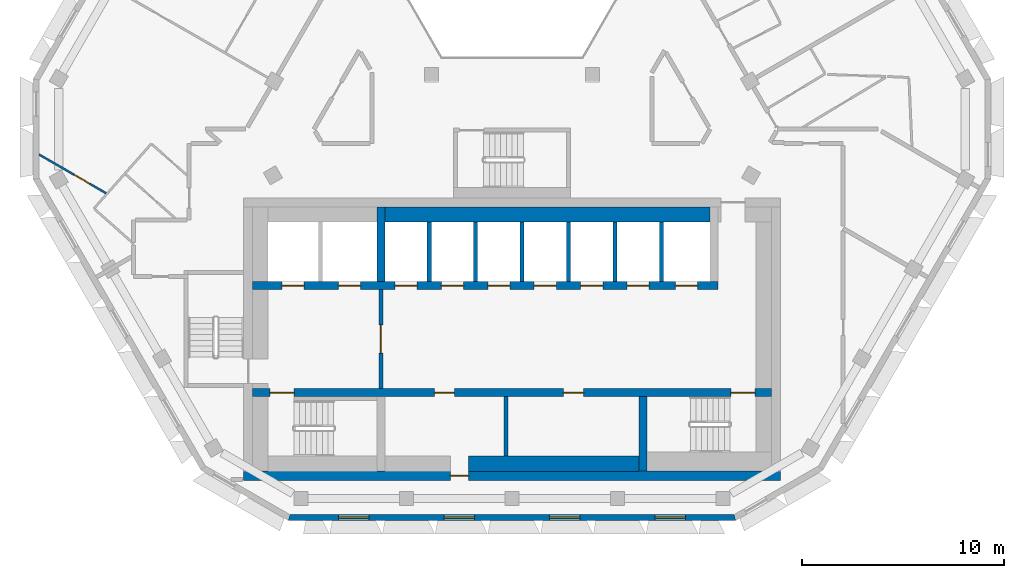
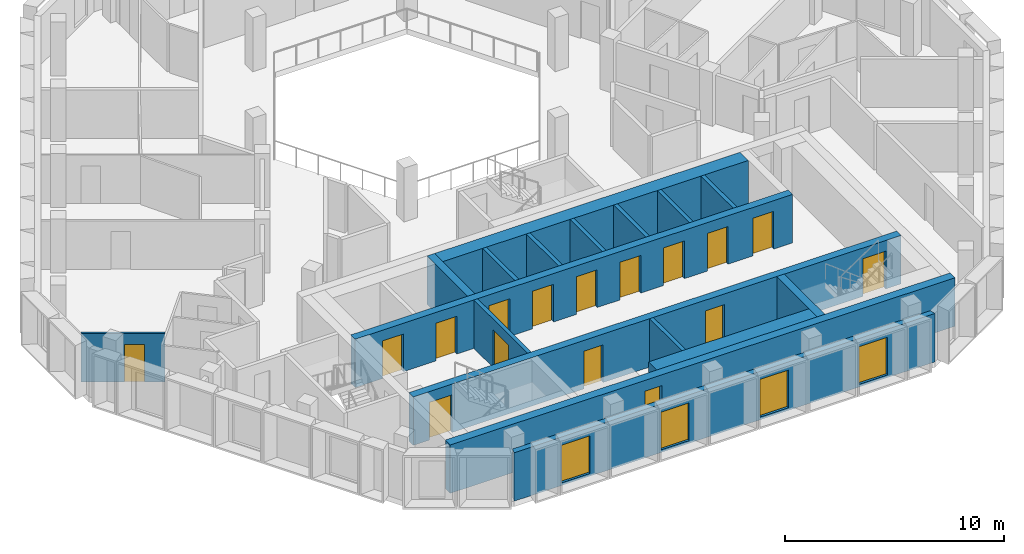
# One storey, part 3 of 14: 17 walls, 16 doors, 4 windows, 20 openings.
"""IFC4 building model written with IfcOpenShell, lengths in metres."""

from ifc_helpers import new_model, si_unit, direction, frame, frame_2d, origin, place, context, subcontext, project, spatial, polyline, rectangle, outline, extrude, material, layer, layer_set, type_object, element, fill, save


model = new_model("IFC4")

# Units and contexts
model_context = context("Model", 3, precision=1e-05, world=origin(), true_north=direction((0.0, 1.0)))
body_context = subcontext(model_context, "Body", "Model", "MODEL_VIEW")
ifc_project = project(units=[si_unit("LENGTHUNIT", "METRE"), si_unit("AREAUNIT", "SQUARE_METRE"), si_unit("VOLUMEUNIT", "CUBIC_METRE"), si_unit("PLANEANGLEUNIT", "RADIAN"), si_unit("MASSUNIT", "GRAM", prefix="KILO")], contexts=[model_context])

# Site, building, storey
site_placement = place(None, origin())
site = spatial("IfcSite", under=ifc_project, at=site_placement, CompositionType="ELEMENT")
building_placement = place(site_placement, origin())
building = spatial("IfcBuilding", under=site, at=building_placement, Name="Beryl Residences", CompositionType="ELEMENT")
storey_placement = place(building_placement, frame((0.0, 0.0, 235.800048828125)))
storey = spatial("IfcBuildingStorey", under=building, at=storey_placement, Name="L73", CompositionType="ELEMENT", Elevation=235.800048828125)

# Wall, openings, windows
ifc_material_1 = material(Name="Composite metal panel with mineral wool insulation")
ifc_layer_1 = layer(ifc_material_1, 0.300048828125)
ifc_layer_set_1 = layer_set([ifc_layer_1], Name="ES1 pale metal composite panel wall 300 mm")
wall_type_1 = type_object("IfcWallType", Name="ES1 pale metal composite panel wall 300 mm", PredefinedType="SOLIDWALL", material=ifc_layer_set_1)
wall_1_placement = place(storey_placement, frame((-11.0849609375, -20.85009765625, 0.0), z_axis=(0.0, 0.0, 1.0), x_axis=(1.0, 0.0, 0.0)))
wall_1 = element("IfcWall", 1, at=wall_1_placement, inside=storey, type_object=wall_type_1, Name="ES1 external wall L73 S", PredefinedType="SOLIDWALL", context=body_context, shape_type="SweptSolid", body=[
    extrude(outline(polyline([(0.0, -0.14990234375), (22.169921875, -0.14990234375), (22.089599609375, 0.14990234375), (0.080322265625, 0.14990234375), (0.0, -0.14990234375)])), origin(), (0.0, 0.0, 1.0), 2.699951171875),
])
opening_1_placement = place(wall_1_placement, frame((2.498046875, 0.0, 0.14990234375)))
opening_1 = element("IfcOpeningElement", 2, at=opening_1_placement, cuts=wall_1, Name="Opening W1", PredefinedType="OPENING", context=body_context, shape_type="SweptSolid", body=[
    extrude(rectangle(XDim=1.5, YDim=2.10009765625, at=frame_2d((0.75, 1.050048828125))), frame((0.0, 0.159912109375, 0.0), z_axis=(0.0, -1.0, 0.0), x_axis=(1.0, 0.0, 0.0)), (0.0, 0.0, 1.0), 0.320068359375),
])
opening_2_placement = place(wall_1_placement, frame((7.722900390625, 0.0, 0.14990234375)))
opening_2 = element("IfcOpeningElement", 3, at=opening_2_placement, cuts=wall_1, Name="Opening W1", PredefinedType="OPENING", context=body_context, shape_type="SweptSolid", body=[
    extrude(rectangle(XDim=1.5, YDim=2.10009765625, at=frame_2d((0.75, 1.050048828125))), frame((0.0, 0.159912109375, 0.0), z_axis=(0.0, -1.0, 0.0), x_axis=(1.0, 0.0, 0.0)), (0.0, 0.0, 1.0), 0.320068359375),
])
opening_3_placement = place(wall_1_placement, frame((12.947021484375, 0.0, 0.14990234375)))
opening_3 = element("IfcOpeningElement", 4, at=opening_3_placement, cuts=wall_1, Name="Opening W1", PredefinedType="OPENING", context=body_context, shape_type="SweptSolid", body=[
    extrude(rectangle(XDim=1.5, YDim=2.10009765625, at=frame_2d((0.75, 1.050048828125))), frame((0.0, 0.159912109375, 0.0), z_axis=(0.0, -1.0, 0.0), x_axis=(1.0, 0.0, 0.0)), (0.0, 0.0, 1.0), 0.320068359375),
])
opening_4_placement = place(wall_1_placement, frame((18.172119140625, 0.0, 0.14990234375)))
opening_4 = element("IfcOpeningElement", 5, at=opening_4_placement, cuts=wall_1, Name="Opening W1", PredefinedType="OPENING", context=body_context, shape_type="SweptSolid", body=[
    extrude(rectangle(XDim=1.5, YDim=2.10009765625, at=frame_2d((0.75, 1.050048828125))), frame((0.0, 0.159912109375, 0.0), z_axis=(0.0, -1.0, 0.0), x_axis=(1.0, 0.0, 0.0)), (0.0, 0.0, 1.0), 0.320068359375),
])
ifc_material_2 = material(Name="Aluminium and clear glass", Category="aluminium")
window_type = type_object("IfcWindowType", Name="W1 cell window 1500 x 2100 mm", PartitioningType="SINGLE_PANEL", PredefinedType="WINDOW", material=ifc_material_2)
window_1_placement = place(opening_1_placement, origin())
window_1 = element("IfcWindow", 6, at=window_1_placement, inside=storey, type_object=window_type, Name="W1 window L73 S 2", OverallHeight=2.10009765625, OverallWidth=1.5, PartitioningType="SINGLE_PANEL", PredefinedType="WINDOW", context=body_context, shape_type="SweptSolid", body=[
    extrude(rectangle(XDim=1.5, YDim=2.10009765625, at=frame_2d((0.75, 1.050048828125))), frame((0.0, 0.030029296875, 0.0), z_axis=(0.0, -1.0, 0.0), x_axis=(1.0, 0.0, 0.0)), (0.0, 0.0, 1.0), 0.06005859375),
])
fill(opening_1, window_1)
window_2_placement = place(opening_2_placement, origin())
window_2 = element("IfcWindow", 7, at=window_2_placement, inside=storey, type_object=window_type, Name="W1 window L73 S 4", OverallHeight=2.10009765625, OverallWidth=1.5, PartitioningType="SINGLE_PANEL", PredefinedType="WINDOW", context=body_context, shape_type="SweptSolid", body=[
    extrude(rectangle(XDim=1.5, YDim=2.10009765625, at=frame_2d((0.75, 1.050048828125))), frame((0.0, 0.030029296875, 0.0), z_axis=(0.0, -1.0, 0.0), x_axis=(1.0, 0.0, 0.0)), (0.0, 0.0, 1.0), 0.06005859375),
])
fill(opening_2, window_2)
window_3_placement = place(opening_3_placement, origin())
window_3 = element("IfcWindow", 8, at=window_3_placement, inside=storey, type_object=window_type, Name="W1 window L73 S 6", OverallHeight=2.10009765625, OverallWidth=1.5, PartitioningType="SINGLE_PANEL", PredefinedType="WINDOW", context=body_context, shape_type="SweptSolid", body=[
    extrude(rectangle(XDim=1.5, YDim=2.10009765625, at=frame_2d((0.75, 1.050048828125))), frame((0.0, 0.030029296875, 0.0), z_axis=(0.0, -1.0, 0.0), x_axis=(1.0, 0.0, 0.0)), (0.0, 0.0, 1.0), 0.06005859375),
])
fill(opening_3, window_3)
window_4_placement = place(opening_4_placement, origin())
window_4 = element("IfcWindow", 9, at=window_4_placement, inside=storey, type_object=window_type, Name="W1 window L73 S 8", OverallHeight=2.10009765625, OverallWidth=1.5, PartitioningType="SINGLE_PANEL", PredefinedType="WINDOW", context=body_context, shape_type="SweptSolid", body=[
    extrude(rectangle(XDim=1.5, YDim=2.10009765625, at=frame_2d((0.75, 1.050048828125))), frame((0.0, 0.030029296875, 0.0), z_axis=(0.0, -1.0, 0.0), x_axis=(1.0, 0.0, 0.0)), (0.0, 0.0, 1.0), 0.06005859375),
])
fill(opening_4, window_4)

# Wall, opening, door
ifc_material_3 = material(Name="Gypsum board partition on steel studs", Category="steel")
ifc_layer_2 = layer(ifc_material_3, 0.10009765625)
ifc_layer_set_2 = layer_set([ifc_layer_2], Name="PT1 partition 100 mm gypsum board on steel studs")
wall_type_2 = type_object("IfcWallType", Name="PT1 partition 100 mm gypsum board on steel studs", PredefinedType="PARTITIONING", material=ifc_layer_set_2)
wall_2_placement = place(storey_placement, frame((-23.428955078125, -2.85791015625, 0.0), z_axis=(0.0, 0.0, 1.0), x_axis=(0.8659754619, -0.500086491905, 0.0)))
wall_2 = element("IfcWall", 10, at=wall_2_placement, inside=storey, type_object=wall_type_2, Name="Wall PT1 L73 016", PredefinedType="PARTITIONING", context=body_context, shape_type="SweptSolid", body=[
    extrude(rectangle(XDim=3.831298828125, YDim=0.10009765625, at=frame_2d((1.91552734375, 0.0))), origin(), (0.0, 0.0, 1.0), 2.699951171875),
])
opening_5_placement = place(wall_2_placement, frame((1.990966796875, 0.0, 0.0)))
opening_5 = element("IfcOpeningElement", 11, at=opening_5_placement, cuts=wall_2, Name="Opening D2216", PredefinedType="OPENING", context=body_context, shape_type="SweptSolid", body=[
    extrude(rectangle(XDim=0.89990234375, YDim=2.10009765625, at=frame_2d((0.449951171875, 1.050048828125))), frame((0.0, 0.06005859375, 0.0), z_axis=(0.0, -1.0, 0.0), x_axis=(1.0, 0.0, 0.0)), (0.0, 0.0, 1.0), 0.1201171875),
])
ifc_material_4 = material(Name="Timber door leaf", Category="wood")
door_type_1 = type_object("IfcDoorType", Name="D2 room door 900 x 2100 mm", OperationType="SINGLE_SWING_LEFT", PredefinedType="DOOR", material=ifc_material_4)
door_1_placement = place(opening_5_placement, origin())
door_1 = element("IfcDoor", 12, at=door_1_placement, inside=storey, type_object=door_type_1, Name="Door D2216 L73 001", OperationType="SINGLE_SWING_RIGHT", OverallHeight=2.10009765625, OverallWidth=0.89990234375, PredefinedType="DOOR", context=body_context, shape_type="SweptSolid", body=[
    extrude(rectangle(XDim=0.89990234375, YDim=2.10009765625, at=frame_2d((0.449951171875, 1.050048828125))), frame((0.0, 0.02490234375, 0.0), z_axis=(0.0, -1.0, 0.0), x_axis=(1.0, 0.0, 0.0)), (0.0, 0.0, 1.0), 0.050048828125),
])
fill(opening_5, door_1)

ifc_material_5 = material(Name="Concrete masonry", Category="masonry")
ifc_layer_3 = layer(ifc_material_5, 0.199951171875)
ifc_layer_set_3 = layer_set([ifc_layer_3], Name="PT13 lobby wall 200 mm")
wall_type_3 = type_object("IfcWallType", Name="PT13 lobby wall 200 mm", PredefinedType="PARTITIONING", material=ifc_layer_set_3)
wall_3_placement = place(storey_placement, frame((-6.5, -14.449951171875, 0.0), z_axis=(0.0, 0.0, 1.0), x_axis=(0.0, 1.0, 0.0)))
wall_3 = element("IfcWall", 13, at=wall_3_placement, inside=storey, type_object=wall_type_3, Name="Lobby wall 12", PredefinedType="PARTITIONING", context=body_context, shape_type="SweptSolid", body=[
    extrude(rectangle(XDim=4.89990234375, YDim=0.199951171875, at=frame_2d((2.449951171875, 0.0))), origin(), (0.0, 0.0, 1.0), 2.699951171875),
])
opening_6_placement = place(wall_3_placement, frame((3.14990234375, 0.0, 0.0), z_axis=(0.0, 0.0, 1.0), x_axis=(-1.0, 0.0, 0.0)))
opening_6 = element("IfcOpeningElement", 14, at=opening_6_placement, cuts=wall_3, Name="Opening FD-FFL", PredefinedType="OPENING", context=body_context, shape_type="SweptSolid", body=[
    extrude(rectangle(XDim=1.39990234375, YDim=2.10009765625, at=frame_2d((0.699951171875, 1.050048828125))), frame((0.0, 0.10986328125, 0.0), z_axis=(0.0, -1.0, 0.0), x_axis=(1.0, 0.0, 0.0)), (0.0, 0.0, 1.0), 0.219970703125),
])
ifc_material_6 = material(Name="Steel door leaf in steel frame", Category="steel")
door_type_2 = type_object("IfcDoorType", Name="D5 lobby door 1400 x 2100 mm", OperationType="DOUBLE_DOOR_SINGLE_SWING", PredefinedType="DOOR", material=ifc_material_6)
door_2_placement = place(opening_6_placement, origin())
door_2 = element("IfcDoor", 15, at=door_2_placement, inside=storey, type_object=door_type_2, Name="Door FD-FFL L73 001", OperationType="DOUBLE_DOOR_SINGLE_SWING", OverallHeight=2.10009765625, OverallWidth=1.39990234375, PredefinedType="DOOR", context=body_context, shape_type="SweptSolid", body=[
    extrude(rectangle(XDim=1.39990234375, YDim=2.10009765625, at=frame_2d((0.699951171875, 1.050048828125))), frame((0.0, 0.02490234375, 0.0), z_axis=(0.0, -1.0, 0.0), x_axis=(1.0, 0.0, 0.0)), (0.0, 0.0, 1.0), 0.050048828125),
])
fill(opening_6, door_2)

# Walls
ifc_material_7 = material(Name="Concrete C40/50", Category="concrete")
ifc_layer_4 = layer(ifc_material_7, 0.199951171875)
ifc_layer_set_4 = layer_set([ifc_layer_4], Name="PT6 lift shaft wall 200 mm reinforced concrete C40/50")
wall_type_4 = type_object("IfcWallType", Name="PT6 lift shaft wall 200 mm reinforced concrete C40/50", PredefinedType="SOLIDWALL", material=ifc_layer_set_4)
for number, where, z_axis, x_axis, name in (
    (16, (-4.10009765625, -9.14990234375, 0.0), (0.0, 0.0, 1.0), (0.0, 1.0, 0.0), "Lift shaft wall 15"),
    (17, (-1.800048828125, -9.14990234375, 0.0), (0.0, 0.0, 1.0), (0.0, 1.0, 0.0), "Lift shaft wall 17"),
    (18, (0.5, -9.14990234375, 0.0), (0.0, 0.0, 1.0), (0.0, 1.0, 0.0), "Lift shaft wall 19"),
    (19, (2.800048828125, -9.14990234375, 0.0), (0.0, 0.0, 1.0), (0.0, 1.0, 0.0), "Lift shaft wall 20"),
    (20, (5.10009765625, -9.14990234375, 0.0), (0.0, 0.0, 1.0), (0.0, 1.0, 0.0), "Lift shaft wall 21"),
    (21, (7.39990234375, -9.14990234375, 0.0), (0.0, 0.0, 1.0), (0.0, 1.0, 0.0), "Lift shaft wall 23"),
):
    element("IfcWall", number, at=place(storey_placement, frame(where, z_axis=z_axis, x_axis=x_axis)), inside=storey, type_object=wall_type_4, Name=name, PredefinedType="SOLIDWALL", context=body_context, shape_type="SweptSolid", body=[
        extrude(rectangle(XDim=2.949951171875, YDim=0.199951171875, at=frame_2d((1.47509765625, 0.0))), origin(), (0.0, 0.0, 1.0), 2.699951171875),
    ])
ifc_material_8 = material(Name="Concrete C40/50", Category="concrete")
ifc_layer_5 = layer(ifc_material_8, 0.75)
ifc_layer_set_5 = layer_set([ifc_layer_5], Name="PT6-750 lift shaft wall 750 mm")
wall_type_5 = type_object("IfcWallType", Name="PT6-750 lift shaft wall 750 mm", PredefinedType="SOLIDWALL", material=ifc_layer_set_5)
wall_4_placement = place(storey_placement, frame((-6.300048828125, -5.824951171875, 0.0), z_axis=(0.0, 0.0, 1.0), x_axis=(1.0, 0.0, 0.0)))
element("IfcWall", 22, at=wall_4_placement, inside=storey, type_object=wall_type_5, Name="Lift shaft wall 14", PredefinedType="SOLIDWALL", context=body_context, shape_type="SweptSolid", body=[
    extrude(rectangle(XDim=16.10009765625, YDim=0.75, at=frame_2d((8.050048828125, 0.0))), origin(), (0.0, 0.0, 1.0), 2.699951171875),
])
ifc_material_9 = material(Name="Concrete masonry", Category="masonry")
ifc_layer_6 = layer(ifc_material_9, 0.199951171875)
ifc_layer_set_6 = layer_set([ifc_layer_6], Name="PT8-200 service room wall 200 mm")
wall_type_6 = type_object("IfcWallType", Name="PT8-200 service room wall 200 mm", PredefinedType="PARTITIONING", material=ifc_layer_set_6)
wall_5_placement = place(storey_placement, frame((-0.300048828125, -17.800048828125, 0.0), z_axis=(0.0, 0.0, 1.0), x_axis=(0.0, 1.0, 0.0)))
element("IfcWall", 23, at=wall_5_placement, inside=storey, type_object=wall_type_6, Name="Core room wall 18", PredefinedType="PARTITIONING", context=body_context, shape_type="SweptSolid", body=[
    extrude(rectangle(XDim=2.949951171875, YDim=0.199951171875, at=frame_2d((1.47509765625, 0.0))), origin(), (0.0, 0.0, 1.0), 2.699951171875),
])
ifc_material_10 = material(Name="Concrete masonry", Category="masonry")
ifc_layer_7 = layer(ifc_material_10, 0.75)
ifc_layer_set_7 = layer_set([ifc_layer_7], Name="PT8-750 service room wall 750 mm")
wall_type_7 = type_object("IfcWallType", Name="PT8-750 service room wall 750 mm", PredefinedType="PARTITIONING", material=ifc_layer_set_7)
wall_6_placement = place(storey_placement, frame((-2.14990234375, -18.175048828125, 0.0), z_axis=(0.0, 0.0, 1.0), x_axis=(1.0, 0.0, 0.0)))
element("IfcWall", 24, at=wall_6_placement, inside=storey, type_object=wall_type_7, Name="Core room wall 16", PredefinedType="PARTITIONING", context=body_context, shape_type="SweptSolid", body=[
    extrude(rectangle(XDim=8.449951171875, YDim=0.75, at=frame_2d((4.22509765625, 0.0))), origin(), (0.0, 0.0, 1.0), 2.699951171875),
])

# Wall, openings, doors
ifc_material_11 = material(Name="Concrete C50/60", Category="concrete")
ifc_layer_8 = layer(ifc_material_11, 0.39990234375)
ifc_layer_set_8 = layer_set([ifc_layer_8], Name="SW10 core internal wall 400 mm C50/60")
wall_type_8 = type_object("IfcWallType", Name="SW10 core internal wall 400 mm C50/60", PredefinedType="SHEAR", material=ifc_layer_set_8)
wall_7_placement = place(storey_placement, frame((-12.85009765625, -14.64990234375, 0.0), z_axis=(0.0, 0.0, 1.0), x_axis=(1.0, 0.0, 0.0)))
wall_7 = element("IfcWall", 25, at=wall_7_placement, inside=storey, type_object=wall_type_8, Name="Core wall SP1 L73", PredefinedType="SHEAR", context=body_context, shape_type="SweptSolid", body=[
    extrude(rectangle(XDim=25.7001953125, YDim=0.39990234375, at=frame_2d((12.85009765625, 0.0))), origin(), (0.0, 0.0, 1.0), 2.699951171875),
])
opening_7_placement = place(wall_7_placement, frame((2.050048828125, 0.0, 0.0), z_axis=(0.0, 0.0, 1.0), x_axis=(-1.0, 0.0, 0.0)))
opening_7 = element("IfcOpeningElement", 26, at=opening_7_placement, cuts=wall_7, Name="Opening SD-1", PredefinedType="OPENING", context=body_context, shape_type="SweptSolid", body=[
    extrude(rectangle(XDim=1.199951171875, YDim=2.10009765625, at=frame_2d((0.60009765625, 1.050048828125))), frame((0.0, 0.2099609375, 0.0), z_axis=(0.0, -1.0, 0.0), x_axis=(1.0, 0.0, 0.0)), (0.0, 0.0, 1.0), 0.419921875),
])
opening_8_placement = place(wall_7_placement, frame((24.89990234375, 0.0, 0.0), z_axis=(0.0, 0.0, 1.0), x_axis=(-1.0, 0.0, 0.0)))
opening_8 = element("IfcOpeningElement", 27, at=opening_8_placement, cuts=wall_7, Name="Opening SD-3", PredefinedType="OPENING", context=body_context, shape_type="SweptSolid", body=[
    extrude(rectangle(XDim=1.199951171875, YDim=2.10009765625, at=frame_2d((0.60009765625, 1.050048828125))), frame((0.0, 0.2099609375, 0.0), z_axis=(0.0, -1.0, 0.0), x_axis=(1.0, 0.0, 0.0)), (0.0, 0.0, 1.0), 0.419921875),
])
opening_9_placement = place(wall_7_placement, frame((10.0, 0.0, 0.0), z_axis=(0.0, 0.0, 1.0), x_axis=(-1.0, 0.0, 0.0)))
opening_9 = element("IfcOpeningElement", 28, at=opening_9_placement, cuts=wall_7, Name="Opening CD-D-S1", PredefinedType="OPENING", context=body_context, shape_type="SweptSolid", body=[
    extrude(rectangle(XDim=1.0, YDim=2.10009765625, at=frame_2d((0.5, 1.050048828125))), frame((0.0, 0.2099609375, 0.0), z_axis=(0.0, -1.0, 0.0), x_axis=(1.0, 0.0, 0.0)), (0.0, 0.0, 1.0), 0.419921875),
])
opening_10_placement = place(wall_7_placement, frame((16.39990234375, 0.0, 0.0), z_axis=(0.0, 0.0, 1.0), x_axis=(-1.0, 0.0, 0.0)))
opening_10 = element("IfcOpeningElement", 29, at=opening_10_placement, cuts=wall_7, Name="Opening CD-D-S2", PredefinedType="OPENING", context=body_context, shape_type="SweptSolid", body=[
    extrude(rectangle(XDim=1.0, YDim=2.10009765625, at=frame_2d((0.5, 1.050048828125))), frame((0.0, 0.2099609375, 0.0), z_axis=(0.0, -1.0, 0.0), x_axis=(1.0, 0.0, 0.0)), (0.0, 0.0, 1.0), 0.419921875),
])
ifc_material_12 = material(Name="Steel door leaf in steel frame", Category="steel")
door_type_3 = type_object("IfcDoorType", Name="D18 service room door 1000 x 2100 mm", OperationType="SINGLE_SWING_LEFT", PredefinedType="DOOR", material=ifc_material_12)
door_3_placement = place(opening_9_placement, origin())
door_3 = element("IfcDoor", 30, at=door_3_placement, inside=storey, type_object=door_type_3, Name="Door CD-D-S1 L73 001", OperationType="SINGLE_SWING_RIGHT", OverallHeight=2.10009765625, OverallWidth=1.0, PredefinedType="DOOR", context=body_context, shape_type="SweptSolid", body=[
    extrude(rectangle(XDim=1.0, YDim=2.10009765625, at=frame_2d((0.5, 1.050048828125))), frame((0.0, 0.02490234375, 0.0), z_axis=(0.0, -1.0, 0.0), x_axis=(1.0, 0.0, 0.0)), (0.0, 0.0, 1.0), 0.050048828125),
])
fill(opening_9, door_3)
door_4_placement = place(opening_10_placement, origin())
door_4 = element("IfcDoor", 31, at=door_4_placement, inside=storey, type_object=door_type_3, Name="Door CD-D-S2 L73 001", OperationType="SINGLE_SWING_LEFT", OverallHeight=2.10009765625, OverallWidth=1.0, PredefinedType="DOOR", context=body_context, shape_type="SweptSolid", body=[
    extrude(rectangle(XDim=1.0, YDim=2.10009765625, at=frame_2d((0.5, 1.050048828125))), frame((0.0, 0.02490234375, 0.0), z_axis=(0.0, -1.0, 0.0), x_axis=(1.0, 0.0, 0.0)), (0.0, 0.0, 1.0), 0.050048828125),
])
fill(opening_10, door_4)
ifc_material_13 = material(Name="Steel door leaf in steel frame", Category="steel")
door_type_4 = type_object("IfcDoorType", Name="D4 stair door 1200 x 2100 mm", OperationType="SINGLE_SWING_LEFT", PredefinedType="DOOR", material=ifc_material_13)
door_5_placement = place(opening_7_placement, origin())
door_5 = element("IfcDoor", 32, at=door_5_placement, inside=storey, type_object=door_type_4, Name="Door SD-1 L73 001", OperationType="SINGLE_SWING_RIGHT", OverallHeight=2.10009765625, OverallWidth=1.199951171875, PredefinedType="DOOR", context=body_context, shape_type="SweptSolid", body=[
    extrude(rectangle(XDim=1.199951171875, YDim=2.10009765625, at=frame_2d((0.60009765625, 1.050048828125))), frame((0.0, 0.02490234375, 0.0), z_axis=(0.0, -1.0, 0.0), x_axis=(1.0, 0.0, 0.0)), (0.0, 0.0, 1.0), 0.050048828125),
])
fill(opening_7, door_5)
door_6_placement = place(opening_8_placement, origin())
door_6 = element("IfcDoor", 33, at=door_6_placement, inside=storey, type_object=door_type_4, Name="Door SD-3 L73 001", OperationType="SINGLE_SWING_RIGHT", OverallHeight=2.10009765625, OverallWidth=1.199951171875, PredefinedType="DOOR", context=body_context, shape_type="SweptSolid", body=[
    extrude(rectangle(XDim=1.199951171875, YDim=2.10009765625, at=frame_2d((0.60009765625, 1.050048828125))), frame((0.0, 0.02490234375, 0.0), z_axis=(0.0, -1.0, 0.0), x_axis=(1.0, 0.0, 0.0)), (0.0, 0.0, 1.0), 0.050048828125),
])
fill(opening_8, door_6)

wall_8_placement = place(storey_placement, frame((-12.85009765625, -9.35009765625, 0.0), z_axis=(0.0, 0.0, 1.0), x_axis=(1.0, 0.0, 0.0)))
wall_8 = element("IfcWall", 34, at=wall_8_placement, inside=storey, type_object=wall_type_8, Name="Core wall SP2 L73", PredefinedType="SHEAR", context=body_context, shape_type="SweptSolid", body=[
    extrude(rectangle(XDim=23.050048828125, YDim=0.39990234375, at=frame_2d((11.52490234375, 0.0))), origin(), (0.0, 0.0, 1.0), 2.699951171875),
])
opening_11_placement = place(wall_8_placement, frame((1.449951171875, 0.0, 0.0)))
opening_11 = element("IfcOpeningElement", 35, at=opening_11_placement, cuts=wall_8, Name="Opening LD-FF1", PredefinedType="OPENING", context=body_context, shape_type="SweptSolid", body=[
    extrude(rectangle(XDim=1.10009765625, YDim=2.10009765625, at=frame_2d((0.550048828125, 1.050048828125))), frame((0.0, 0.2099609375, 0.0), z_axis=(0.0, -1.0, 0.0), x_axis=(1.0, 0.0, 0.0)), (0.0, 0.0, 1.0), 0.419921875),
])
opening_12_placement = place(wall_8_placement, frame((4.25, 0.0, 0.0)))
opening_12 = element("IfcOpeningElement", 36, at=opening_12_placement, cuts=wall_8, Name="Opening LD-FF2", PredefinedType="OPENING", context=body_context, shape_type="SweptSolid", body=[
    extrude(rectangle(XDim=1.10009765625, YDim=2.10009765625, at=frame_2d((0.550048828125, 1.050048828125))), frame((0.0, 0.2099609375, 0.0), z_axis=(0.0, -1.0, 0.0), x_axis=(1.0, 0.0, 0.0)), (0.0, 0.0, 1.0), 0.419921875),
])
opening_13_placement = place(wall_8_placement, frame((7.050048828125, 0.0, 0.0)))
opening_13 = element("IfcOpeningElement", 37, at=opening_13_placement, cuts=wall_8, Name="Opening LD-HR1", PredefinedType="OPENING", context=body_context, shape_type="SweptSolid", body=[
    extrude(rectangle(XDim=1.10009765625, YDim=2.10009765625, at=frame_2d((0.550048828125, 1.050048828125))), frame((0.0, 0.2099609375, 0.0), z_axis=(0.0, -1.0, 0.0), x_axis=(1.0, 0.0, 0.0)), (0.0, 0.0, 1.0), 0.419921875),
])
opening_14_placement = place(wall_8_placement, frame((9.35009765625, 0.0, 0.0)))
opening_14 = element("IfcOpeningElement", 38, at=opening_14_placement, cuts=wall_8, Name="Opening LD-HR2", PredefinedType="OPENING", context=body_context, shape_type="SweptSolid", body=[
    extrude(rectangle(XDim=1.10009765625, YDim=2.10009765625, at=frame_2d((0.550048828125, 1.050048828125))), frame((0.0, 0.2099609375, 0.0), z_axis=(0.0, -1.0, 0.0), x_axis=(1.0, 0.0, 0.0)), (0.0, 0.0, 1.0), 0.419921875),
])
opening_15_placement = place(wall_8_placement, frame((11.64990234375, 0.0, 0.0)))
opening_15 = element("IfcOpeningElement", 39, at=opening_15_placement, cuts=wall_8, Name="Opening LD-HR3", PredefinedType="OPENING", context=body_context, shape_type="SweptSolid", body=[
    extrude(rectangle(XDim=1.10009765625, YDim=2.10009765625, at=frame_2d((0.550048828125, 1.050048828125))), frame((0.0, 0.2099609375, 0.0), z_axis=(0.0, -1.0, 0.0), x_axis=(1.0, 0.0, 0.0)), (0.0, 0.0, 1.0), 0.419921875),
])
opening_16_placement = place(wall_8_placement, frame((13.949951171875, 0.0, 0.0)))
opening_16 = element("IfcOpeningElement", 40, at=opening_16_placement, cuts=wall_8, Name="Opening LD-HR4", PredefinedType="OPENING", context=body_context, shape_type="SweptSolid", body=[
    extrude(rectangle(XDim=1.10009765625, YDim=2.10009765625, at=frame_2d((0.550048828125, 1.050048828125))), frame((0.0, 0.2099609375, 0.0), z_axis=(0.0, -1.0, 0.0), x_axis=(1.0, 0.0, 0.0)), (0.0, 0.0, 1.0), 0.419921875),
])
opening_17_placement = place(wall_8_placement, frame((16.25, 0.0, 0.0)))
opening_17 = element("IfcOpeningElement", 41, at=opening_17_placement, cuts=wall_8, Name="Opening LD-HR5", PredefinedType="OPENING", context=body_context, shape_type="SweptSolid", body=[
    extrude(rectangle(XDim=1.10009765625, YDim=2.10009765625, at=frame_2d((0.550048828125, 1.050048828125))), frame((0.0, 0.2099609375, 0.0), z_axis=(0.0, -1.0, 0.0), x_axis=(1.0, 0.0, 0.0)), (0.0, 0.0, 1.0), 0.419921875),
])
opening_18_placement = place(wall_8_placement, frame((18.550048828125, 0.0, 0.0)))
opening_18 = element("IfcOpeningElement", 42, at=opening_18_placement, cuts=wall_8, Name="Opening LD-HR6", PredefinedType="OPENING", context=body_context, shape_type="SweptSolid", body=[
    extrude(rectangle(XDim=1.10009765625, YDim=2.10009765625, at=frame_2d((0.550048828125, 1.050048828125))), frame((0.0, 0.2099609375, 0.0), z_axis=(0.0, -1.0, 0.0), x_axis=(1.0, 0.0, 0.0)), (0.0, 0.0, 1.0), 0.419921875),
])
opening_19_placement = place(wall_8_placement, frame((20.949951171875, 0.0, 0.0)))
opening_19 = element("IfcOpeningElement", 43, at=opening_19_placement, cuts=wall_8, Name="Opening LD-SL1", PredefinedType="OPENING", context=body_context, shape_type="SweptSolid", body=[
    extrude(rectangle(XDim=1.10009765625, YDim=2.10009765625, at=frame_2d((0.550048828125, 1.050048828125))), frame((0.0, 0.2099609375, 0.0), z_axis=(0.0, -1.0, 0.0), x_axis=(1.0, 0.0, 0.0)), (0.0, 0.0, 1.0), 0.419921875),
])
ifc_material_14 = material(Name="Stainless steel sliding door", Category="steel")
door_type_5 = type_object("IfcDoorType", Name="LD1 lift landing door 1100 x 2100 mm", OperationType="DOUBLE_DOOR_SLIDING", PredefinedType="DOOR", material=ifc_material_14)
door_7_placement = place(opening_11_placement, origin())
door_7 = element("IfcDoor", 44, at=door_7_placement, inside=storey, type_object=door_type_5, Name="Lift landing door FF1", OperationType="DOUBLE_DOOR_SLIDING", OverallHeight=2.10009765625, OverallWidth=1.10009765625, PredefinedType="DOOR", context=body_context, shape_type="SweptSolid", body=[
    extrude(rectangle(XDim=1.10009765625, YDim=2.10009765625, at=frame_2d((0.550048828125, 1.050048828125))), frame((0.0, 0.02490234375, 0.0), z_axis=(0.0, -1.0, 0.0), x_axis=(1.0, 0.0, 0.0)), (0.0, 0.0, 1.0), 0.050048828125),
])
fill(opening_11, door_7)
door_8_placement = place(opening_12_placement, origin())
door_8 = element("IfcDoor", 45, at=door_8_placement, inside=storey, type_object=door_type_5, Name="Lift landing door FF2", OperationType="DOUBLE_DOOR_SLIDING", OverallHeight=2.10009765625, OverallWidth=1.10009765625, PredefinedType="DOOR", context=body_context, shape_type="SweptSolid", body=[
    extrude(rectangle(XDim=1.10009765625, YDim=2.10009765625, at=frame_2d((0.550048828125, 1.050048828125))), frame((0.0, 0.02490234375, 0.0), z_axis=(0.0, -1.0, 0.0), x_axis=(1.0, 0.0, 0.0)), (0.0, 0.0, 1.0), 0.050048828125),
])
fill(opening_12, door_8)
door_9_placement = place(opening_13_placement, origin())
door_9 = element("IfcDoor", 46, at=door_9_placement, inside=storey, type_object=door_type_5, Name="Lift landing door HR1", OperationType="DOUBLE_DOOR_SLIDING", OverallHeight=2.10009765625, OverallWidth=1.10009765625, PredefinedType="DOOR", context=body_context, shape_type="SweptSolid", body=[
    extrude(rectangle(XDim=1.10009765625, YDim=2.10009765625, at=frame_2d((0.550048828125, 1.050048828125))), frame((0.0, 0.02490234375, 0.0), z_axis=(0.0, -1.0, 0.0), x_axis=(1.0, 0.0, 0.0)), (0.0, 0.0, 1.0), 0.050048828125),
])
fill(opening_13, door_9)
door_10_placement = place(opening_14_placement, origin())
door_10 = element("IfcDoor", 47, at=door_10_placement, inside=storey, type_object=door_type_5, Name="Lift landing door HR2", OperationType="DOUBLE_DOOR_SLIDING", OverallHeight=2.10009765625, OverallWidth=1.10009765625, PredefinedType="DOOR", context=body_context, shape_type="SweptSolid", body=[
    extrude(rectangle(XDim=1.10009765625, YDim=2.10009765625, at=frame_2d((0.550048828125, 1.050048828125))), frame((0.0, 0.02490234375, 0.0), z_axis=(0.0, -1.0, 0.0), x_axis=(1.0, 0.0, 0.0)), (0.0, 0.0, 1.0), 0.050048828125),
])
fill(opening_14, door_10)
door_11_placement = place(opening_15_placement, origin())
door_11 = element("IfcDoor", 48, at=door_11_placement, inside=storey, type_object=door_type_5, Name="Lift landing door HR3", OperationType="DOUBLE_DOOR_SLIDING", OverallHeight=2.10009765625, OverallWidth=1.10009765625, PredefinedType="DOOR", context=body_context, shape_type="SweptSolid", body=[
    extrude(rectangle(XDim=1.10009765625, YDim=2.10009765625, at=frame_2d((0.550048828125, 1.050048828125))), frame((0.0, 0.02490234375, 0.0), z_axis=(0.0, -1.0, 0.0), x_axis=(1.0, 0.0, 0.0)), (0.0, 0.0, 1.0), 0.050048828125),
])
fill(opening_15, door_11)
door_12_placement = place(opening_16_placement, origin())
door_12 = element("IfcDoor", 49, at=door_12_placement, inside=storey, type_object=door_type_5, Name="Lift landing door HR4", OperationType="DOUBLE_DOOR_SLIDING", OverallHeight=2.10009765625, OverallWidth=1.10009765625, PredefinedType="DOOR", context=body_context, shape_type="SweptSolid", body=[
    extrude(rectangle(XDim=1.10009765625, YDim=2.10009765625, at=frame_2d((0.550048828125, 1.050048828125))), frame((0.0, 0.02490234375, 0.0), z_axis=(0.0, -1.0, 0.0), x_axis=(1.0, 0.0, 0.0)), (0.0, 0.0, 1.0), 0.050048828125),
])
fill(opening_16, door_12)
door_13_placement = place(opening_17_placement, origin())
door_13 = element("IfcDoor", 50, at=door_13_placement, inside=storey, type_object=door_type_5, Name="Lift landing door HR5", OperationType="DOUBLE_DOOR_SLIDING", OverallHeight=2.10009765625, OverallWidth=1.10009765625, PredefinedType="DOOR", context=body_context, shape_type="SweptSolid", body=[
    extrude(rectangle(XDim=1.10009765625, YDim=2.10009765625, at=frame_2d((0.550048828125, 1.050048828125))), frame((0.0, 0.02490234375, 0.0), z_axis=(0.0, -1.0, 0.0), x_axis=(1.0, 0.0, 0.0)), (0.0, 0.0, 1.0), 0.050048828125),
])
fill(opening_17, door_13)
door_14_placement = place(opening_18_placement, origin())
door_14 = element("IfcDoor", 51, at=door_14_placement, inside=storey, type_object=door_type_5, Name="Lift landing door HR6", OperationType="DOUBLE_DOOR_SLIDING", OverallHeight=2.10009765625, OverallWidth=1.10009765625, PredefinedType="DOOR", context=body_context, shape_type="SweptSolid", body=[
    extrude(rectangle(XDim=1.10009765625, YDim=2.10009765625, at=frame_2d((0.550048828125, 1.050048828125))), frame((0.0, 0.02490234375, 0.0), z_axis=(0.0, -1.0, 0.0), x_axis=(1.0, 0.0, 0.0)), (0.0, 0.0, 1.0), 0.050048828125),
])
fill(opening_18, door_14)
door_15_placement = place(opening_19_placement, origin())
door_15 = element("IfcDoor", 52, at=door_15_placement, inside=storey, type_object=door_type_5, Name="Lift landing door SL1", OperationType="DOUBLE_DOOR_SLIDING", OverallHeight=2.10009765625, OverallWidth=1.10009765625, PredefinedType="DOOR", context=body_context, shape_type="SweptSolid", body=[
    extrude(rectangle(XDim=1.10009765625, YDim=2.10009765625, at=frame_2d((0.550048828125, 1.050048828125))), frame((0.0, 0.02490234375, 0.0), z_axis=(0.0, -1.0, 0.0), x_axis=(1.0, 0.0, 0.0)), (0.0, 0.0, 1.0), 0.050048828125),
])
fill(opening_19, door_15)

# Walls
for number, where, z_axis, x_axis, name in (
    (53, (6.5, -18.550048828125, 0.0), (0.0, 0.0, 1.0), (0.0, 1.0, 0.0), "Core wall XS2 L73"),
    (54, (-6.5, -9.14990234375, 0.0), (0.0, 0.0, 1.0), (0.0, 1.0, 0.0), "Core wall XN1 L73"),
):
    element("IfcWall", number, at=place(storey_placement, frame(where, z_axis=z_axis, x_axis=x_axis)), inside=storey, type_object=wall_type_8, Name=name, PredefinedType="SHEAR", context=body_context, shape_type="SweptSolid", body=[
        extrude(rectangle(XDim=3.699951171875, YDim=0.39990234375, at=frame_2d((1.85009765625, 0.0))), origin(), (0.0, 0.0, 1.0), 2.699951171875),
    ])

# Wall, opening, door
ifc_material_15 = material(Name="Concrete C50/60", Category="concrete")
ifc_layer_9 = layer(ifc_material_15, 0.449951171875)
ifc_layer_set_9 = layer_set([ifc_layer_9], Name="SW5 core outer wall 450 mm C50/60")
wall_type_9 = type_object("IfcWallType", Name="SW5 core outer wall 450 mm C50/60", PredefinedType="SHEAR", material=ifc_layer_set_9)
wall_9_placement = place(storey_placement, frame((-13.300048828125, -18.77490234375, 0.0), z_axis=(0.0, 0.0, 1.0), x_axis=(1.0, 0.0, 0.0)))
wall_9 = element("IfcWall", 55, at=wall_9_placement, inside=storey, type_object=wall_type_9, Name="Core wall S L73", PredefinedType="SHEAR", context=body_context, shape_type="SweptSolid", body=[
    extrude(rectangle(XDim=26.60009765625, YDim=0.449951171875, at=frame_2d((13.300048828125, 0.0))), origin(), (0.0, 0.0, 1.0), 2.699951171875),
])
opening_20_placement = place(wall_9_placement, frame((10.25, 0.0, 0.0)))
opening_20 = element("IfcOpeningElement", 56, at=opening_20_placement, cuts=wall_9, Name="Opening RD-RS", PredefinedType="OPENING", context=body_context, shape_type="SweptSolid", body=[
    extrude(rectangle(XDim=0.89990234375, YDim=2.10009765625, at=frame_2d((0.449951171875, 1.050048828125))), frame((0.0, 0.23486328125, 0.0), z_axis=(0.0, -1.0, 0.0), x_axis=(1.0, 0.0, 0.0)), (0.0, 0.0, 1.0), 0.469970703125),
])
ifc_material_16 = material(Name="Steel door leaf in steel frame", Category="steel")
door_type_6 = type_object("IfcDoorType", Name="D23 riser door 900 x 2100 mm", OperationType="SINGLE_SWING_LEFT", PredefinedType="DOOR", material=ifc_material_16)
door_16_placement = place(opening_20_placement, origin())
door_16 = element("IfcDoor", 57, at=door_16_placement, inside=storey, type_object=door_type_6, Name="Door RD-RS L73 001", OperationType="SINGLE_SWING_RIGHT", OverallHeight=2.10009765625, OverallWidth=0.89990234375, PredefinedType="DOOR", context=body_context, shape_type="SweptSolid", body=[
    extrude(rectangle(XDim=0.89990234375, YDim=2.10009765625, at=frame_2d((0.449951171875, 1.050048828125))), frame((0.0, 0.02490234375, 0.0), z_axis=(0.0, -1.0, 0.0), x_axis=(1.0, 0.0, 0.0)), (0.0, 0.0, 1.0), 0.050048828125),
])
fill(opening_20, door_16)

save(model, "model.ifc")
